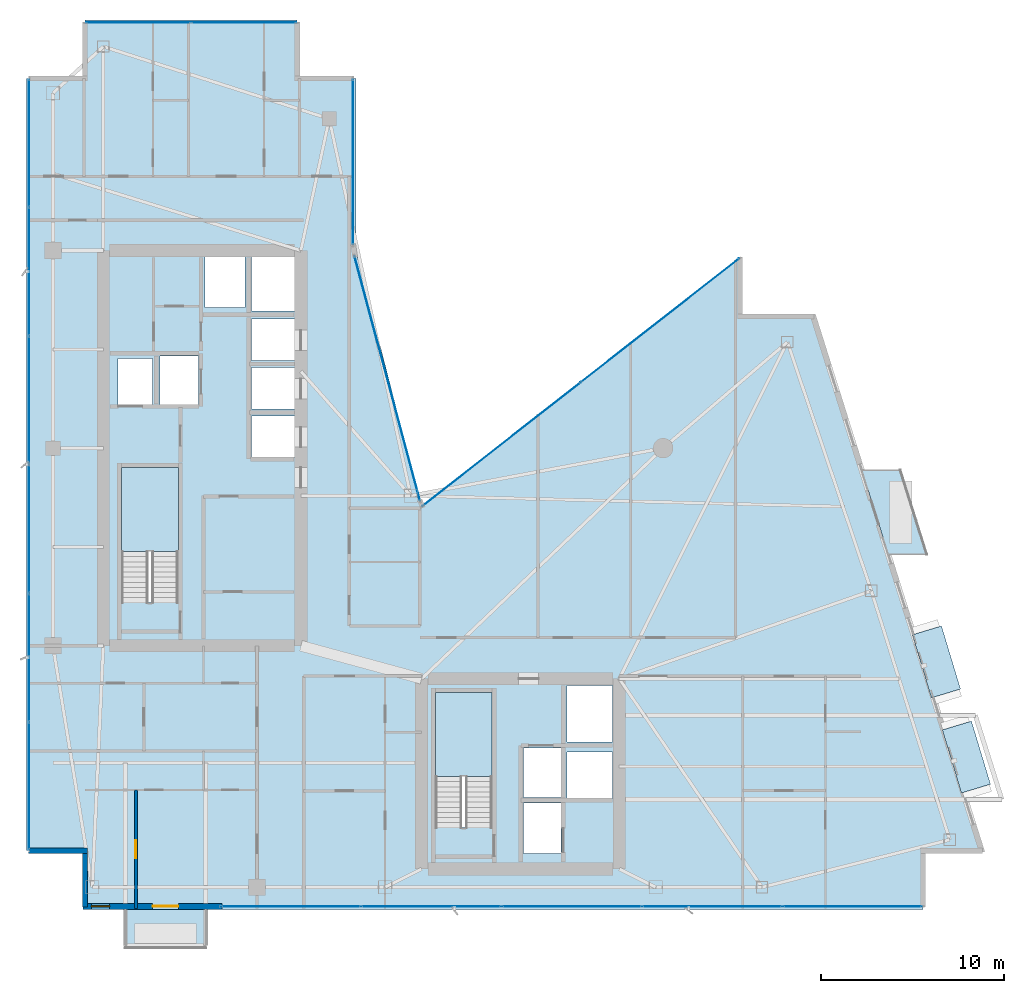
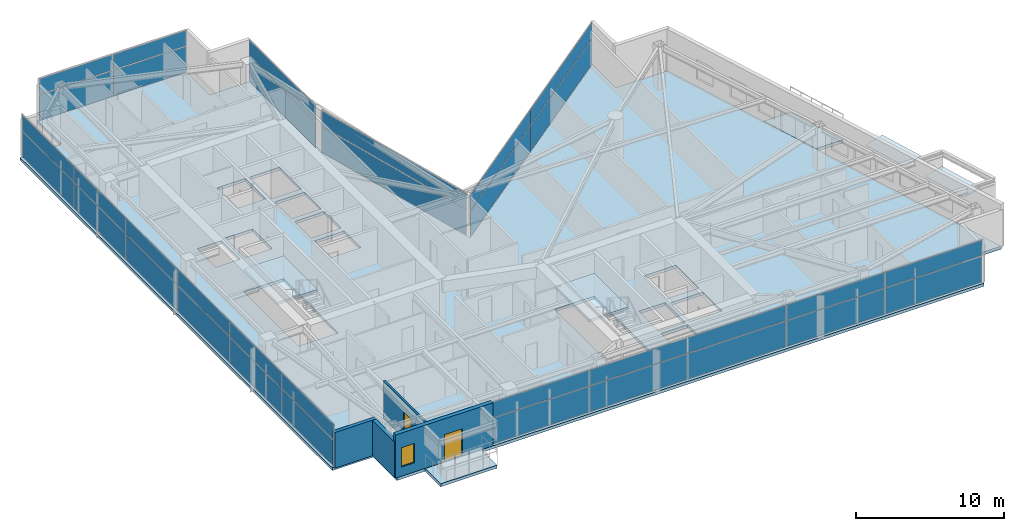
# One storey, part 22 of 29: 36 plates, 5 slabs, 4 walls, 2 doors, 1 window, 3 openings, 8 elements without a shape of their own.
"""IFC4 building model written with IfcOpenShell, lengths in metres."""

import ifcopenshell
import ifcopenshell.guid

model = None  # the IFC model being written
_history = None  # IfcOwnerHistory: only IFC2X3 demands one
_inside = {}  # id of a spatial element -> (the spatial element, [elements in it])
_under = {}  # id of a project, library or spatial element -> (it, [spatial elements below it])
_declared = {}  # id of a project -> (the project, [libraries it declares])
_typed = {}  # id of a type object -> (the type object, [elements of that type])
_made_of = {}  # id of a material, layer set ... -> (it, [elements and type objects made of it])


def new_model(schema):
    """Start an empty IFC model of exactly this schema.

    Asked for "IFC4X3", IfcOpenShell would pick the latest addendum, in which some entities
    have other attributes; the version numbers below select the first issue.
    IFC2X3 requires an IfcOwnerHistory on every rooted entity: one is made here for all.
    """
    global model, _history
    if schema == "IFC4X3":
        model = ifcopenshell.file(schema_version=(4, 3, 0, 0))
    else:
        model = ifcopenshell.file(schema=schema)
    _inside.clear()
    _under.clear()
    _declared.clear()
    _typed.clear()
    _made_of.clear()
    _history = None
    if model.schema == "IFC2X3":
        org = make("IfcOrganization", Name="unknown")
        user = make(
            "IfcPersonAndOrganization",
            ThePerson=make("IfcPerson", FamilyName="unknown"),
            TheOrganization=org,
        )
        app = make(
            "IfcApplication",
            ApplicationDeveloper=org,
            Version="unknown",
            ApplicationFullName="unknown",
            ApplicationIdentifier="unknown",
        )
        _history = make(
            "IfcOwnerHistory",
            OwningUser=user,
            OwningApplication=app,
            ChangeAction="ADDED",
            CreationDate=0,
        )
    return model


def make(cls, **values):
    """One entity of the class cls with the attributes given. An attribute that is None is left unset."""
    return model.create_entity(
        cls, **{name: value for name, value in values.items() if value is not None}
    )


def rooted(cls, **values):
    """An entity with a GlobalId (a new one), such as an element, a storey or a relation."""
    return make(cls, GlobalId=ifcopenshell.guid.new(), OwnerHistory=_history, **values)


def si_unit(unit_type, name, prefix=None):
    """IfcSIUnit, for example si_unit("LENGTHUNIT", "METRE", prefix="MILLI")."""
    return make("IfcSIUnit", UnitType=unit_type, Prefix=prefix, Name=name)


def assignment(units):
    """IfcUnitAssignment: the units of a project."""
    return None if units is None else make("IfcUnitAssignment", Units=units)


def point(xyz):
    """IfcCartesianPoint."""
    return None if xyz is None else make("IfcCartesianPoint", Coordinates=xyz)


def direction(xyz):
    """IfcDirection."""
    return None if xyz is None else make("IfcDirection", DirectionRatios=xyz)


def frame(location, z_axis=None, x_axis=None):
    """IfcAxis2Placement3D, a coordinate frame: its origin and axes. An axis left out is left unset."""
    return make(
        "IfcAxis2Placement3D",
        Location=point(location),
        Axis=direction(z_axis),
        RefDirection=direction(x_axis),
    )


def frame_2d(location, x_axis=None):
    """IfcAxis2Placement2D, a coordinate frame in the plane: its origin and x axis."""
    return make(
        "IfcAxis2Placement2D", Location=point(location), RefDirection=direction(x_axis)
    )


def origin():
    """The frame at (0, 0, 0) with its axes left unset."""
    return frame((0.0, 0.0, 0.0))


def origin_2d():
    """The frame at (0, 0) in the plane with its x axis left unset."""
    return frame_2d((0.0, 0.0))


def place(relative_to, where):
    """IfcLocalPlacement: puts the frame where relative to a parent placement (None: the world)."""
    return make(
        "IfcLocalPlacement", PlacementRelTo=relative_to, RelativePlacement=where
    )


def context(
    kind, dimensions, precision=None, world=None, true_north=None, identifier=None
):
    """IfcGeometricRepresentationContext, for example the 3D "Model" context."""
    return make(
        "IfcGeometricRepresentationContext",
        ContextIdentifier=identifier,
        ContextType=kind,
        CoordinateSpaceDimension=dimensions,
        Precision=precision,
        WorldCoordinateSystem=world,
        TrueNorth=true_north,
    )


def subcontext(parent, identifier, kind, view, scale=None):
    """IfcGeometricRepresentationSubContext, for example "Body" below "Model"."""
    return make(
        "IfcGeometricRepresentationSubContext",
        ContextIdentifier=identifier,
        ContextType=kind,
        ParentContext=parent,
        TargetScale=scale,
        TargetView=view,
    )


def project(units=None, contexts=None):
    """IfcProject with its units and contexts."""
    return rooted(
        "IfcProject",
        Name="project",
        RepresentationContexts=contexts,
        UnitsInContext=assignment(units),
    )


def spatial(cls, under=None, at=None, **own):
    """A site, building, storey or space (cls), placed at a placement, below another one or the project."""
    s = rooted(cls, ObjectPlacement=at, **own)
    if under is not None:
        _under.setdefault(under.id(), (under, []))[1].append(s)
    return s


def polyline(points):
    """IfcPolyline through the points."""
    return make("IfcPolyline", Points=[point(p) for p in points])


def profile(cls, at=None, kind="AREA", **sizes):
    """A parametric profile (cls). Its sizes go by their IFC names, for example OverallWidth=200.0."""
    return make(cls, ProfileType=kind, Position=at, **sizes)


def rectangle(**sizes):
    """IfcRectangleProfileDef."""
    return profile("IfcRectangleProfileDef", **sizes)


def outline(outer, holes=None, kind="AREA"):
    """IfcArbitraryClosedProfileDef: a profile drawn as a closed curve; with holes, ...WithVoids."""
    if holes is None:
        return make("IfcArbitraryClosedProfileDef", ProfileType=kind, OuterCurve=outer)
    return make(
        "IfcArbitraryProfileDefWithVoids",
        ProfileType=kind,
        OuterCurve=outer,
        InnerCurves=holes,
    )


def extrude(swept, where, along, depth):
    """IfcExtrudedAreaSolid: the profile swept, set in the frame where, extruded along a direction by depth."""
    return make(
        "IfcExtrudedAreaSolid",
        SweptArea=swept,
        Position=where,
        ExtrudedDirection=direction(along),
        Depth=depth,
    )


def shape(context_of_items, identifier, shape_type, items):
    """IfcShapeRepresentation: the items that make up one representation, for example the "Body"."""
    return make(
        "IfcShapeRepresentation",
        ContextOfItems=context_of_items,
        RepresentationIdentifier=identifier,
        RepresentationType=shape_type,
        Items=items,
    )


def material(Name=None, Category=None):
    """IfcMaterial."""
    return make("IfcMaterial", Name=Name, Category=Category)


def layer(
    of_material, thickness, ventilated=None, Name=None, Category=None, Priority=None
):
    """IfcMaterialLayer: one layer of a wall or slab, of a material (None: an air gap)."""
    return make(
        "IfcMaterialLayer",
        Material=of_material,
        LayerThickness=thickness,
        IsVentilated=ventilated,
        Name=Name,
        Category=Category,
        Priority=Priority,
    )


def layer_set(layers, Name=None):
    """IfcMaterialLayerSet."""
    return make("IfcMaterialLayerSet", MaterialLayers=layers, LayerSetName=Name)


def made_of(thing, what):
    """Note that an element or type object is made of a material, layer set ...; save() writes the relation."""
    if what is not None:
        _made_of.setdefault(what.id(), (what, []))[1].append(thing)
    return thing


def type_object(cls, material=None, **own):
    """A type object (cls), such as IfcWallType, which elements share."""
    return made_of(rooted(cls, **own), material)


def element(
    cls,
    number,
    at=None,
    inside=None,
    cuts=None,
    type_object=None,
    material=None,
    context=None,
    identifier="Body",
    shape_type=None,
    held_by="IfcProductDefinitionShape",
    body=None,
    shapes=None,
    **own,
):
    """One element of the class cls, such as IfcWall. Its Tag is "e" and its number.

    at: its placement. inside: the storey or other place that contains it. cuts: it is an
    opening in that element (IfcRelVoidsElement). A single representation is given by context,
    identifier, shape_type and body (its items); several are given by shapes. held_by: the class
    of the entity that holds the representations. save() writes the other relations.
    """
    e = rooted(cls, Tag="e%d" % number, ObjectPlacement=at, **own)
    if body is not None:
        shapes = [shape(context, identifier, shape_type, body)]
    if shapes is not None:
        e.Representation = make(held_by, Representations=shapes)
    if inside is not None:
        _inside.setdefault(inside.id(), (inside, []))[1].append(e)
    if cuts is not None:
        rooted(
            "IfcRelVoidsElement", RelatingBuildingElement=cuts, RelatedOpeningElement=e
        )
    if type_object is not None:
        _typed.setdefault(type_object.id(), (type_object, []))[1].append(e)
    return made_of(e, material)


def fill(opening, filler):
    """IfcRelFillsElement: the door or window that sits in an opening."""
    return rooted(
        "IfcRelFillsElement",
        RelatingOpeningElement=opening,
        RelatedBuildingElement=filler,
    )


def aggregate(whole, parts):
    """IfcRelAggregates: a whole, such as a stair, and the parts it consists of."""
    return rooted("IfcRelAggregates", RelatingObject=whole, RelatedObjects=parts)


def save(model, path):
    """Write the relations noted so far, then the file.

    IfcRelAggregates (storeys below a building ...), IfcRelContainedInSpatialStructure (elements
    in a storey), IfcRelDefinesByType, IfcRelAssociatesMaterial and IfcRelDeclares: one each for
    every whole, place, type object, material and project.
    """
    for whole, parts in _under.values():
        aggregate(whole, parts)
    for where, things in _inside.values():
        rooted(
            "IfcRelContainedInSpatialStructure",
            RelatedElements=things,
            RelatingStructure=where,
        )
    for kind, things in _typed.values():
        rooted("IfcRelDefinesByType", RelatedObjects=things, RelatingType=kind)
    for what, things in _made_of.values():
        rooted("IfcRelAssociatesMaterial", RelatedObjects=things, RelatingMaterial=what)
    for by, libraries in _declared.values():
        rooted("IfcRelDeclares", RelatingContext=by, RelatedDefinitions=libraries)
    model.write(path)


model = new_model("IFC4")

# Units and contexts
model_context = context("Model", 3, precision=1e-05, world=origin(), true_north=direction((0.0, 1.0)))
body_context = subcontext(model_context, "Body", "Model", "MODEL_VIEW")
ifc_project = project(units=[si_unit("LENGTHUNIT", "METRE"), si_unit("AREAUNIT", "SQUARE_METRE"), si_unit("VOLUMEUNIT", "CUBIC_METRE"), si_unit("PLANEANGLEUNIT", "RADIAN"), si_unit("MASSUNIT", "GRAM", prefix="KILO")], contexts=[model_context])

# Site, building, storey
site_placement = place(None, origin())
site = spatial("IfcSite", under=ifc_project, at=site_placement, CompositionType="ELEMENT")
building_placement = place(site_placement, origin())
building = spatial("IfcBuilding", under=site, at=building_placement, Name="Calvorn Quay Hotel", CompositionType="ELEMENT")
storey_placement = place(building_placement, frame((0.0, 0.0, 211.0)))
storey = spatial("IfcBuildingStorey", under=building, at=storey_placement, Name="L52", CompositionType="ELEMENT", Elevation=211.0)

# Curtain wall, plates
ifc_material_1 = material(Name="Champagne Bronze Anodised Aluminium and Low-E Glass", Category="aluminium")
ifc_layer_1 = layer(ifc_material_1, 0.219970703125)
ifc_layer_set_1 = layer_set([ifc_layer_1], Name="CW-SYS-Z3")
curtain_wall_type = type_object("IfcCurtainWallType", Name="CW-SYS-Z3", PredefinedType="NOTDEFINED", material=ifc_layer_set_1)
curtain_wall_1_placement = place(storey_placement, origin())
curtain_wall_1 = element("IfcCurtainWall", 1, at=curtain_wall_1_placement, inside=storey, type_object=curtain_wall_type, Name="Tower West Curtain Wall (L52)", PredefinedType="NOTDEFINED")
ifc_material_2 = material(Name="Low-E Laminated Double Glazing", Category="glass")
ifc_layer_2 = layer(ifc_material_2, 0.028076171875)
ifc_layer_set_2 = layer_set([ifc_layer_2], Name="CW-SYS-Z3-PAN")
plate_type_1 = type_object("IfcPlateType", Name="CW-SYS-Z3-PAN", PredefinedType="CURTAIN_PANEL", material=ifc_layer_set_2)
plate_1_placement = place(storey_placement, frame((0.14990234375, 9.131591796875, 0.06005859375), z_axis=(0.0, 0.0, 1.0), x_axis=(0.0, 1.0, 0.0)))
plate_1 = element("IfcPlate", 2, at=plate_1_placement, type_object=plate_type_1, Name="CW-L52-W panel 1.1", PredefinedType="CURTAIN_PANEL", context=body_context, shape_type="SweptSolid", body=[
    extrude(rectangle(XDim=6.943359375, YDim=0.028076171875, at=origin_2d()), origin(), (0.0, 0.0, 1.0), 2.110107421875),
])
plate_2_placement = place(storey_placement, frame((0.14990234375, 9.131591796875, 2.22998046875), z_axis=(0.0, 0.0, 1.0), x_axis=(0.0, 1.0, 0.0)))
plate_2 = element("IfcPlate", 3, at=plate_2_placement, type_object=plate_type_1, Name="CW-L52-W panel 1.2", PredefinedType="CURTAIN_PANEL", context=body_context, shape_type="SweptSolid", body=[
    extrude(rectangle(XDim=6.943359375, YDim=0.028076171875, at=origin_2d()), origin(), (0.0, 0.0, 1.0), 1.27001953125),
])
plate_3_placement = place(storey_placement, frame((0.14990234375, 16.14990234375, 0.06005859375), z_axis=(0.0, 0.0, 1.0), x_axis=(0.0, 1.0, 0.0)))
plate_3 = element("IfcPlate", 4, at=plate_3_placement, type_object=plate_type_1, Name="CW-L52-W panel 2.1", PredefinedType="CURTAIN_PANEL", context=body_context, shape_type="SweptSolid", body=[
    extrude(rectangle(XDim=6.973388671875, YDim=0.028076171875, at=origin_2d()), origin(), (0.0, 0.0, 1.0), 2.110107421875),
])
plate_4_placement = place(storey_placement, frame((0.14990234375, 16.14990234375, 2.22998046875), z_axis=(0.0, 0.0, 1.0), x_axis=(0.0, 1.0, 0.0)))
plate_4 = element("IfcPlate", 5, at=plate_4_placement, type_object=plate_type_1, Name="CW-L52-W panel 2.2", PredefinedType="CURTAIN_PANEL", context=body_context, shape_type="SweptSolid", body=[
    extrude(rectangle(XDim=6.973388671875, YDim=0.028076171875, at=origin_2d()), origin(), (0.0, 0.0, 1.0), 1.27001953125),
])
plate_5_placement = place(storey_placement, frame((0.14990234375, 23.183349609375, 0.06005859375), z_axis=(0.0, 0.0, 1.0), x_axis=(0.0, 1.0, 0.0)))
plate_5 = element("IfcPlate", 6, at=plate_5_placement, type_object=plate_type_1, Name="CW-L52-W panel 3.1", PredefinedType="CURTAIN_PANEL", context=body_context, shape_type="SweptSolid", body=[
    extrude(rectangle(XDim=6.973388671875, YDim=0.028076171875, at=origin_2d()), origin(), (0.0, 0.0, 1.0), 2.110107421875),
])
plate_6_placement = place(storey_placement, frame((0.14990234375, 23.183349609375, 2.22998046875), z_axis=(0.0, 0.0, 1.0), x_axis=(0.0, 1.0, 0.0)))
plate_6 = element("IfcPlate", 7, at=plate_6_placement, type_object=plate_type_1, Name="CW-L52-W panel 3.2", PredefinedType="CURTAIN_PANEL", context=body_context, shape_type="SweptSolid", body=[
    extrude(rectangle(XDim=6.973388671875, YDim=0.028076171875, at=origin_2d()), origin(), (0.0, 0.0, 1.0), 1.27001953125),
])
plate_7_placement = place(storey_placement, frame((0.14990234375, 30.216552734375, 0.06005859375), z_axis=(0.0, 0.0, 1.0), x_axis=(0.0, 1.0, 0.0)))
plate_7 = element("IfcPlate", 8, at=plate_7_placement, type_object=plate_type_1, Name="CW-L52-W panel 4.1", PredefinedType="CURTAIN_PANEL", context=body_context, shape_type="SweptSolid", body=[
    extrude(rectangle(XDim=6.973388671875, YDim=0.028076171875, at=origin_2d()), origin(), (0.0, 0.0, 1.0), 2.110107421875),
])
plate_8_placement = place(storey_placement, frame((0.14990234375, 30.216552734375, 2.22998046875), z_axis=(0.0, 0.0, 1.0), x_axis=(0.0, 1.0, 0.0)))
plate_8 = element("IfcPlate", 9, at=plate_8_placement, type_object=plate_type_1, Name="CW-L52-W panel 4.2", PredefinedType="CURTAIN_PANEL", context=body_context, shape_type="SweptSolid", body=[
    extrude(rectangle(XDim=6.973388671875, YDim=0.028076171875, at=origin_2d()), origin(), (0.0, 0.0, 1.0), 1.27001953125),
])
plate_9_placement = place(storey_placement, frame((0.14990234375, 37.25, 0.06005859375), z_axis=(0.0, 0.0, 1.0), x_axis=(0.0, 1.0, 0.0)))
plate_9 = element("IfcPlate", 10, at=plate_9_placement, type_object=plate_type_1, Name="CW-L52-W panel 5.1", PredefinedType="CURTAIN_PANEL", context=body_context, shape_type="SweptSolid", body=[
    extrude(rectangle(XDim=6.973388671875, YDim=0.028076171875, at=origin_2d()), origin(), (0.0, 0.0, 1.0), 2.110107421875),
])
plate_10_placement = place(storey_placement, frame((0.14990234375, 37.25, 2.22998046875), z_axis=(0.0, 0.0, 1.0), x_axis=(0.0, 1.0, 0.0)))
plate_10 = element("IfcPlate", 11, at=plate_10_placement, type_object=plate_type_1, Name="CW-L52-W panel 5.2", PredefinedType="CURTAIN_PANEL", context=body_context, shape_type="SweptSolid", body=[
    extrude(rectangle(XDim=6.973388671875, YDim=0.028076171875, at=origin_2d()), origin(), (0.0, 0.0, 1.0), 1.27001953125),
])
plate_11_placement = place(storey_placement, frame((0.14990234375, 44.268310546875, 0.06005859375), z_axis=(0.0, 0.0, 1.0), x_axis=(0.0, 1.0, 0.0)))
plate_11 = element("IfcPlate", 12, at=plate_11_placement, type_object=plate_type_1, Name="CW-L52-W panel 6.1", PredefinedType="CURTAIN_PANEL", context=body_context, shape_type="SweptSolid", body=[
    extrude(rectangle(XDim=6.943359375, YDim=0.028076171875, at=origin_2d()), origin(), (0.0, 0.0, 1.0), 2.110107421875),
])
plate_12_placement = place(storey_placement, frame((0.14990234375, 44.268310546875, 2.22998046875), z_axis=(0.0, 0.0, 1.0), x_axis=(0.0, 1.0, 0.0)))
plate_12 = element("IfcPlate", 13, at=plate_12_placement, type_object=plate_type_1, Name="CW-L52-W panel 6.2", PredefinedType="CURTAIN_PANEL", context=body_context, shape_type="SweptSolid", body=[
    extrude(rectangle(XDim=6.943359375, YDim=0.028076171875, at=origin_2d()), origin(), (0.0, 0.0, 1.0), 1.27001953125),
])
aggregate(curtain_wall_1, [plate_1, plate_2, plate_3, plate_4, plate_5, plate_6, plate_7, plate_8, plate_9, plate_10, plate_11, plate_12])

curtain_wall_2_placement = place(storey_placement, origin())
curtain_wall_2 = element("IfcCurtainWall", 14, at=curtain_wall_2_placement, inside=storey, type_object=curtain_wall_type, Name="Tower South Waterfront Curtain Wall (L52)", PredefinedType="NOTDEFINED")
plate_13_placement = place(storey_placement, frame((14.455078125, 2.550048828125, 0.06005859375), z_axis=(0.0, 0.0, 1.0), x_axis=(1.0, 0.0, 0.0)))
plate_13 = element("IfcPlate", 15, at=plate_13_placement, type_object=plate_type_1, Name="CW-L52-S panel 1.1", PredefinedType="CURTAIN_PANEL", context=body_context, shape_type="SweptSolid", body=[
    extrude(rectangle(XDim=7.590087890625, YDim=0.028076171875, at=origin_2d()), origin(), (0.0, 0.0, 1.0), 2.110107421875),
])
plate_14_placement = place(storey_placement, frame((14.455078125, 2.550048828125, 2.22998046875), z_axis=(0.0, 0.0, 1.0), x_axis=(1.0, 0.0, 0.0)))
plate_14 = element("IfcPlate", 16, at=plate_14_placement, type_object=plate_type_1, Name="CW-L52-S panel 1.2", PredefinedType="CURTAIN_PANEL", context=body_context, shape_type="SweptSolid", body=[
    extrude(rectangle(XDim=7.590087890625, YDim=0.028076171875, at=origin_2d()), origin(), (0.0, 0.0, 1.0), 1.27001953125),
])
plate_15_placement = place(storey_placement, frame((22.1201171875, 2.550048828125, 0.06005859375), z_axis=(0.0, 0.0, 1.0), x_axis=(1.0, 0.0, 0.0)))
plate_15 = element("IfcPlate", 17, at=plate_15_placement, type_object=plate_type_1, Name="CW-L52-S panel 2.1", PredefinedType="CURTAIN_PANEL", context=body_context, shape_type="SweptSolid", body=[
    extrude(rectangle(XDim=7.6201171875, YDim=0.028076171875, at=origin_2d()), origin(), (0.0, 0.0, 1.0), 2.110107421875),
])
plate_16_placement = place(storey_placement, frame((22.1201171875, 2.550048828125, 2.22998046875), z_axis=(0.0, 0.0, 1.0), x_axis=(1.0, 0.0, 0.0)))
plate_16 = element("IfcPlate", 18, at=plate_16_placement, type_object=plate_type_1, Name="CW-L52-S panel 2.2", PredefinedType="CURTAIN_PANEL", context=body_context, shape_type="SweptSolid", body=[
    extrude(rectangle(XDim=7.6201171875, YDim=0.028076171875, at=origin_2d()), origin(), (0.0, 0.0, 1.0), 1.27001953125),
])
plate_17_placement = place(storey_placement, frame((29.800048828125, 2.550048828125, 0.06005859375), z_axis=(0.0, 0.0, 1.0), x_axis=(1.0, 0.0, 0.0)))
plate_17 = element("IfcPlate", 19, at=plate_17_placement, type_object=plate_type_1, Name="CW-L52-S panel 3.1", PredefinedType="CURTAIN_PANEL", context=body_context, shape_type="SweptSolid", body=[
    extrude(rectangle(XDim=7.6201171875, YDim=0.028076171875, at=origin_2d()), origin(), (0.0, 0.0, 1.0), 2.110107421875),
])
plate_18_placement = place(storey_placement, frame((29.800048828125, 2.550048828125, 2.22998046875), z_axis=(0.0, 0.0, 1.0), x_axis=(1.0, 0.0, 0.0)))
plate_18 = element("IfcPlate", 20, at=plate_18_placement, type_object=plate_type_1, Name="CW-L52-S panel 3.2", PredefinedType="CURTAIN_PANEL", context=body_context, shape_type="SweptSolid", body=[
    extrude(rectangle(XDim=7.6201171875, YDim=0.028076171875, at=origin_2d()), origin(), (0.0, 0.0, 1.0), 1.27001953125),
])
plate_19_placement = place(storey_placement, frame((37.47998046875, 2.550048828125, 0.06005859375), z_axis=(0.0, 0.0, 1.0), x_axis=(1.0, 0.0, 0.0)))
plate_19 = element("IfcPlate", 21, at=plate_19_placement, type_object=plate_type_1, Name="CW-L52-S panel 4.1", PredefinedType="CURTAIN_PANEL", context=body_context, shape_type="SweptSolid", body=[
    extrude(rectangle(XDim=7.6201171875, YDim=0.028076171875, at=origin_2d()), origin(), (0.0, 0.0, 1.0), 2.110107421875),
])
plate_20_placement = place(storey_placement, frame((37.47998046875, 2.550048828125, 2.22998046875), z_axis=(0.0, 0.0, 1.0), x_axis=(1.0, 0.0, 0.0)))
plate_20 = element("IfcPlate", 22, at=plate_20_placement, type_object=plate_type_1, Name="CW-L52-S panel 4.2", PredefinedType="CURTAIN_PANEL", context=body_context, shape_type="SweptSolid", body=[
    extrude(rectangle(XDim=7.6201171875, YDim=0.028076171875, at=origin_2d()), origin(), (0.0, 0.0, 1.0), 1.27001953125),
])
plate_21_placement = place(storey_placement, frame((45.14501953125, 2.550048828125, 0.06005859375), z_axis=(0.0, 0.0, 1.0), x_axis=(1.0, 0.0, 0.0)))
plate_21 = element("IfcPlate", 23, at=plate_21_placement, type_object=plate_type_1, Name="CW-L52-S panel 5.1", PredefinedType="CURTAIN_PANEL", context=body_context, shape_type="SweptSolid", body=[
    extrude(rectangle(XDim=7.590087890625, YDim=0.028076171875, at=origin_2d()), origin(), (0.0, 0.0, 1.0), 2.110107421875),
])
plate_22_placement = place(storey_placement, frame((45.14501953125, 2.550048828125, 2.22998046875), z_axis=(0.0, 0.0, 1.0), x_axis=(1.0, 0.0, 0.0)))
plate_22 = element("IfcPlate", 24, at=plate_22_placement, type_object=plate_type_1, Name="CW-L52-S panel 5.2", PredefinedType="CURTAIN_PANEL", context=body_context, shape_type="SweptSolid", body=[
    extrude(rectangle(XDim=7.590087890625, YDim=0.028076171875, at=origin_2d()), origin(), (0.0, 0.0, 1.0), 1.27001953125),
])
aggregate(curtain_wall_2, [plate_13, plate_14, plate_15, plate_16, plate_17, plate_18, plate_19, plate_20, plate_21, plate_22])

curtain_wall_3_placement = place(storey_placement, origin())
curtain_wall_3 = element("IfcCurtainWall", 25, at=curtain_wall_3_placement, inside=storey, type_object=curtain_wall_type, Name="Inner Court Curtain Wall L52-NE1", PredefinedType="NOTDEFINED")
plate_23_placement = place(storey_placement, frame((34.63818359375, 34.5908203125, 0.06005859375), z_axis=(0.0, 0.0, 1.0), x_axis=(-0.787887056174, -0.615819768044, 0.0)))
plate_23 = element("IfcPlate", 26, at=plate_23_placement, type_object=plate_type_1, Name="CW-L52-NE1 panel 1.1", PredefinedType="CURTAIN_PANEL", context=body_context, shape_type="SweptSolid", body=[
    extrude(rectangle(XDim=10.9521484375, YDim=0.028076171875, at=origin_2d()), origin(), (0.0, 0.0, 1.0), 2.110107421875),
])
plate_24_placement = place(storey_placement, frame((34.63818359375, 34.5908203125, 2.22998046875), z_axis=(0.0, 0.0, 1.0), x_axis=(-0.787887056174, -0.615819768044, 0.0)))
plate_24 = element("IfcPlate", 27, at=plate_24_placement, type_object=plate_type_1, Name="CW-L52-NE1 panel 1.2", PredefinedType="CURTAIN_PANEL", context=body_context, shape_type="SweptSolid", body=[
    extrude(rectangle(XDim=10.9521484375, YDim=0.028076171875, at=origin_2d()), origin(), (0.0, 0.0, 1.0), 1.27001953125),
])
plate_25_placement = place(storey_placement, frame((25.9619140625, 27.809326171875, 0.06005859375), z_axis=(0.0, 0.0, 1.0), x_axis=(-0.787887056174, -0.615819768044, 0.0)))
plate_25 = element("IfcPlate", 28, at=plate_25_placement, type_object=plate_type_1, Name="CW-L52-NE1 panel 2.1", PredefinedType="CURTAIN_PANEL", context=body_context, shape_type="SweptSolid", body=[
    extrude(rectangle(XDim=10.9521484375, YDim=0.028076171875, at=origin_2d()), origin(), (0.0, 0.0, 1.0), 2.110107421875),
])
plate_26_placement = place(storey_placement, frame((25.9619140625, 27.809326171875, 2.22998046875), z_axis=(0.0, 0.0, 1.0), x_axis=(-0.787887056174, -0.615819768044, 0.0)))
plate_26 = element("IfcPlate", 29, at=plate_26_placement, type_object=plate_type_1, Name="CW-L52-NE1 panel 2.2", PredefinedType="CURTAIN_PANEL", context=body_context, shape_type="SweptSolid", body=[
    extrude(rectangle(XDim=10.9521484375, YDim=0.028076171875, at=origin_2d()), origin(), (0.0, 0.0, 1.0), 1.27001953125),
])
aggregate(curtain_wall_3, [plate_23, plate_24, plate_25, plate_26])

curtain_wall_4_placement = place(storey_placement, origin())
curtain_wall_4 = element("IfcCurtainWall", 30, at=curtain_wall_4_placement, inside=storey, type_object=curtain_wall_type, Name="Inner Court Curtain Wall L52-IC1", PredefinedType="NOTDEFINED")
plate_27_placement = place(storey_placement, frame((19.72509765625, 31.39990234375, 0.06005859375), z_axis=(0.0, 0.0, 1.0), x_axis=(-0.25877913024, 0.96593652056, 0.0)))
plate_27 = element("IfcPlate", 31, at=plate_27_placement, type_object=plate_type_1, Name="CW-L52-IC1 panel 1.1", PredefinedType="CURTAIN_PANEL", context=body_context, shape_type="SweptSolid", body=[
    extrude(rectangle(XDim=13.814697265625, YDim=0.028076171875, at=origin_2d()), origin(), (0.0, 0.0, 1.0), 2.110107421875),
])
plate_28_placement = place(storey_placement, frame((19.72509765625, 31.39990234375, 2.22998046875), z_axis=(0.0, 0.0, 1.0), x_axis=(-0.25877913024, 0.96593652056, 0.0)))
plate_28 = element("IfcPlate", 32, at=plate_28_placement, type_object=plate_type_1, Name="CW-L52-IC1 panel 1.2", PredefinedType="CURTAIN_PANEL", context=body_context, shape_type="SweptSolid", body=[
    extrude(rectangle(XDim=13.814697265625, YDim=0.028076171875, at=origin_2d()), origin(), (0.0, 0.0, 1.0), 1.27001953125),
])
aggregate(curtain_wall_4, [plate_27, plate_28])

curtain_wall_5_placement = place(storey_placement, origin())
curtain_wall_5 = element("IfcCurtainWall", 33, at=curtain_wall_5_placement, inside=storey, type_object=curtain_wall_type, Name="Inner Court Curtain Wall L52-IC2", PredefinedType="NOTDEFINED")
plate_29_placement = place(storey_placement, frame((17.85009765625, 43.239990234375, 0.06005859375), z_axis=(0.0, 0.0, 1.0), x_axis=(0.0, 1.0, 0.0)))
plate_29 = element("IfcPlate", 34, at=plate_29_placement, type_object=plate_type_1, Name="CW-L52-IC2 panel 1.1", PredefinedType="CURTAIN_PANEL", context=body_context, shape_type="SweptSolid", body=[
    extrude(rectangle(XDim=9.0, YDim=0.028076171875, at=origin_2d()), origin(), (0.0, 0.0, 1.0), 2.110107421875),
])
plate_30_placement = place(storey_placement, frame((17.85009765625, 43.239990234375, 2.22998046875), z_axis=(0.0, 0.0, 1.0), x_axis=(0.0, 1.0, 0.0)))
plate_30 = element("IfcPlate", 35, at=plate_30_placement, type_object=plate_type_1, Name="CW-L52-IC2 panel 1.2", PredefinedType="CURTAIN_PANEL", context=body_context, shape_type="SweptSolid", body=[
    extrude(rectangle(XDim=9.0, YDim=0.028076171875, at=origin_2d()), origin(), (0.0, 0.0, 1.0), 1.27001953125),
])
aggregate(curtain_wall_5, [plate_29, plate_30])

curtain_wall_6_placement = place(storey_placement, origin())
curtain_wall_6 = element("IfcCurtainWall", 36, at=curtain_wall_6_placement, inside=storey, type_object=curtain_wall_type, Name="Inner Court Curtain Wall L52-N1", PredefinedType="NOTDEFINED")
plate_31_placement = place(storey_placement, frame((11.885009765625, 50.85009765625, 0.06005859375), z_axis=(0.0, 0.0, 1.0), x_axis=(-1.0, 0.0, 0.0)))
plate_31 = element("IfcPlate", 37, at=plate_31_placement, type_object=plate_type_1, Name="CW-L52-N1 panel 1.1", PredefinedType="CURTAIN_PANEL", context=body_context, shape_type="SweptSolid", body=[
    extrude(rectangle(XDim=5.7099609375, YDim=0.028076171875, at=origin_2d()), origin(), (0.0, 0.0, 1.0), 2.110107421875),
])
plate_32_placement = place(storey_placement, frame((11.885009765625, 50.85009765625, 2.22998046875), z_axis=(0.0, 0.0, 1.0), x_axis=(-1.0, 0.0, 0.0)))
plate_32 = element("IfcPlate", 38, at=plate_32_placement, type_object=plate_type_1, Name="CW-L52-N1 panel 1.2", PredefinedType="CURTAIN_PANEL", context=body_context, shape_type="SweptSolid", body=[
    extrude(rectangle(XDim=5.7099609375, YDim=0.028076171875, at=origin_2d()), origin(), (0.0, 0.0, 1.0), 1.27001953125),
])
plate_33_placement = place(storey_placement, frame((6.114990234375, 50.85009765625, 0.06005859375), z_axis=(0.0, 0.0, 1.0), x_axis=(-1.0, 0.0, 0.0)))
plate_33 = element("IfcPlate", 39, at=plate_33_placement, type_object=plate_type_1, Name="CW-L52-N1 panel 2.1", PredefinedType="CURTAIN_PANEL", context=body_context, shape_type="SweptSolid", body=[
    extrude(rectangle(XDim=5.7099609375, YDim=0.028076171875, at=origin_2d()), origin(), (0.0, 0.0, 1.0), 2.110107421875),
])
plate_34_placement = place(storey_placement, frame((6.114990234375, 50.85009765625, 2.22998046875), z_axis=(0.0, 0.0, 1.0), x_axis=(-1.0, 0.0, 0.0)))
plate_34 = element("IfcPlate", 40, at=plate_34_placement, type_object=plate_type_1, Name="CW-L52-N1 panel 2.2", PredefinedType="CURTAIN_PANEL", context=body_context, shape_type="SweptSolid", body=[
    extrude(rectangle(XDim=5.7099609375, YDim=0.028076171875, at=origin_2d()), origin(), (0.0, 0.0, 1.0), 1.27001953125),
])
aggregate(curtain_wall_6, [plate_31, plate_32, plate_33, plate_34])

# Plates
ifc_material_3 = material(Name="Tempered Laminated Low-E Glass", Category="glass")
ifc_layer_3 = layer(ifc_material_3, 0.0380859375)
ifc_layer_set_3 = layer_set([ifc_layer_3], Name="PLT-HOOD-GLAZ")
plate_type_2 = type_object("IfcPlateType", Name="PLT-HOOD-GLAZ", PredefinedType="SHEET", material=ifc_layer_set_3)
for number, where, z_axis, x_axis, name in (
    (41, (51.3740234375, 10.718017578125, 2.467041015625), (0.0, 0.0, 1.0), (0.957319497532, 0.289031796944, 0.0), "Angled Glass Bay Hood Panel L52-HOOD-1"),
    (42, (49.735107421875, 15.91796875, 2.467041015625), (0.0, 0.0, 1.0), (0.957319497532, 0.289031796944, 0.0), "Angled Glass Bay Hood Panel L52-HOOD-2"),
):
    element("IfcPlate", number, at=place(storey_placement, frame(where, z_axis=z_axis, x_axis=x_axis)), inside=storey, type_object=plate_type_2, Name=name, PredefinedType="SHEET", context=body_context, shape_type="SweptSolid", body=[
        extrude(rectangle(XDim=1.659912109375, YDim=3.60009765625, at=origin_2d()), origin(), (0.0, 0.0, 1.0), 0.0380859375),
    ])

# Slabs
ifc_material_4 = material(Name="Concrete C40", Category="concrete")
ifc_layer_4 = layer(ifc_material_4, 0.239990234375)
ifc_layer_set_4 = layer_set([ifc_layer_4], Name="SLB-BALCONY-220")
slab_type_1 = type_object("IfcSlabType", Name="SLB-BALCONY-220", PredefinedType="FLOOR", material=ifc_layer_set_4)
slab_1_placement = place(storey_placement, frame((0.0, 0.0, -0.239990234375)))
element("IfcSlab", 43, at=slab_1_placement, inside=storey, type_object=slab_type_1, Name="Tree Balcony Slab L52-BALC-E", PredefinedType="FLOOR", context=body_context, shape_type="SweptSolid", body=[
    extrude(outline(polyline([(47.10595703125, 21.800048828125), (49.2060546875, 21.800048828125), (47.757080078125, 26.39990234375), (45.656982421875, 26.39990234375), (47.10595703125, 21.800048828125)])), origin(), (0.0, 0.0, 1.0), 0.239990234375),
])
slab_2_placement = place(storey_placement, frame((0.0, 0.0, -0.239990234375)))
element("IfcSlab", 44, at=slab_2_placement, inside=storey, type_object=slab_type_1, Name="Tree Balcony Slab L52-BALC-S", PredefinedType="FLOOR", context=body_context, shape_type="SweptSolid", body=[
    extrude(outline(polyline([(5.39990234375, 0.2900390625), (9.800048828125, 0.2900390625), (9.800048828125, 2.389892578125), (5.39990234375, 2.389892578125), (5.39990234375, 0.2900390625)])), origin(), (0.0, 0.0, 1.0), 0.239990234375),
])

# Stair, slab
ifc_material_5 = material(Name="Concrete C40", Category="concrete")
stair_type = type_object("IfcStairType", Name="STR-CORE-DOGLEG", PredefinedType="HALF_TURN_STAIR", material=ifc_material_5)
stair_1_placement = place(storey_placement, origin())
stair_1 = element("IfcStair", 45, at=stair_1_placement, inside=storey, type_object=stair_type, Name="L52 ST-W", PredefinedType="HALF_TURN_STAIR")
ifc_material_6 = material(Name="Concrete C40", Category="concrete")
ifc_layer_5 = layer(ifc_material_6, 0.199951171875)
ifc_layer_set_5 = layer_set([ifc_layer_5], Name="SLB-STAIR-LANDING-200")
slab_type_2 = type_object("IfcSlabType", Name="SLB-STAIR-LANDING-200", PredefinedType="LANDING", material=ifc_layer_set_5)
slab_3_placement = place(storey_placement, frame((0.0, 0.0, 1.699951171875)))
slab_3 = element("IfcSlab", 46, at=slab_3_placement, type_object=slab_type_2, Name="ST-W landing 1", PredefinedType="LANDING", context=body_context, shape_type="SweptSolid", body=[
    extrude(outline(polyline([(8.300048828125, 21.949951171875), (8.300048828125, 26.550048828125), (5.199951171875, 26.550048828125), (5.199951171875, 21.949951171875), (8.300048828125, 21.949951171875)])), origin(), (0.0, 0.0, 1.0), 0.199951171875),
])
aggregate(stair_1, [slab_3])

stair_2_placement = place(storey_placement, origin())
stair_2 = element("IfcStair", 47, at=stair_2_placement, inside=storey, type_object=stair_type, Name="L52 ST-E", PredefinedType="HALF_TURN_STAIR")
slab_4_placement = place(storey_placement, frame((0.0, 0.0, 1.699951171875)))
slab_4 = element("IfcSlab", 48, at=slab_4_placement, type_object=slab_type_2, Name="ST-E landing 1", PredefinedType="LANDING", context=body_context, shape_type="SweptSolid", body=[
    extrude(outline(polyline([(25.449951171875, 9.64990234375), (25.449951171875, 14.25), (22.35009765625, 14.25), (22.35009765625, 9.64990234375), (25.449951171875, 9.64990234375)])), origin(), (0.0, 0.0, 1.0), 0.199951171875),
])
aggregate(stair_2, [slab_4])

# Slab
ifc_material_7 = material(Name="Concrete C40", Category="concrete")
ifc_layer_6 = layer(ifc_material_7, 0.239990234375)
ifc_layer_set_6 = layer_set([ifc_layer_6], Name="SLB-TOWER-240")
slab_type_3 = type_object("IfcSlabType", Name="SLB-TOWER-240", PredefinedType="FLOOR", material=ifc_layer_set_6)
slab_5_placement = place(storey_placement, frame((0.0, 0.0, -0.239990234375)))
element("IfcSlab", 49, at=slab_5_placement, inside=storey, type_object=slab_type_3, Name="L52 Structural Floor Slab", PredefinedType="FLOOR", context=body_context, shape_type="SweptSolid", body=[
    extrude(outline(polyline([(0.0, 5.60009765625), (3.199951171875, 5.60009765625), (3.199951171875, 2.39990234375), (49.0, 2.39990234375), (49.0, 5.60009765625), (52.199951171875, 5.60009765625), (43.0, 34.800048828125), (39.0, 34.800048828125), (39.0, 38.0), (21.60009765625, 24.39990234375), (18.0, 38.39990234375), (18.0, 47.800048828125), (14.800048828125, 47.800048828125), (14.800048828125, 51.0), (3.199951171875, 51.0), (3.199951171875, 47.800048828125), (0.0, 47.800048828125), (0.0, 5.60009765625)]), holes=[polyline([(5.199951171875, 19.156005859375), (8.300048828125, 19.156005859375), (8.300048828125, 26.550048828125), (5.199951171875, 26.550048828125), (5.199951171875, 19.156005859375)]), polyline([(22.35009765625, 6.85595703125), (25.449951171875, 6.85595703125), (25.449951171875, 14.25), (22.35009765625, 14.25), (22.35009765625, 6.85595703125)]), polyline([(5.0, 30.0), (6.89990234375, 30.0), (6.89990234375, 32.5), (5.0, 32.5), (5.0, 30.0)]), polyline([(7.300048828125, 30.0), (9.39990234375, 30.0), (9.39990234375, 32.64990234375), (7.300048828125, 32.64990234375), (7.300048828125, 30.0)]), polyline([(27.159912109375, 8.5), (29.2099609375, 8.5), (29.2099609375, 11.199951171875), (27.159912109375, 11.199951171875), (27.159912109375, 8.5)]), polyline([(27.159912109375, 5.449951171875), (29.2099609375, 5.449951171875), (29.2099609375, 8.199951171875), (27.159912109375, 8.199951171875), (27.159912109375, 5.449951171875)]), polyline([(12.300048828125, 27.10009765625), (14.639892578125, 27.10009765625), (14.639892578125, 29.35009765625), (12.300048828125, 29.35009765625), (12.300048828125, 27.10009765625)]), polyline([(12.300048828125, 29.75), (14.639892578125, 29.75), (14.639892578125, 32.0), (12.300048828125, 32.0), (12.300048828125, 29.75)]), polyline([(12.300048828125, 32.39990234375), (14.639892578125, 32.39990234375), (14.639892578125, 34.64990234375), (12.300048828125, 34.64990234375), (12.300048828125, 32.39990234375)]), polyline([(12.300048828125, 35.10009765625), (14.639892578125, 35.10009765625), (14.639892578125, 38.0400390625), (12.300048828125, 38.0400390625), (12.300048828125, 35.10009765625)]), polyline([(9.75, 35.300048828125), (11.949951171875, 35.300048828125), (11.949951171875, 38.0400390625), (9.75, 38.0400390625), (9.75, 35.300048828125)]), polyline([(29.550048828125, 11.550048828125), (32.0400390625, 11.550048828125), (32.0400390625, 14.639892578125), (29.550048828125, 14.639892578125), (29.550048828125, 11.550048828125)]), polyline([(29.550048828125, 8.449951171875), (32.0400390625, 8.449951171875), (32.0400390625, 11.0), (29.550048828125, 11.0), (29.550048828125, 8.449951171875)])]), origin(), (0.0, 0.0, 1.0), 0.239990234375),
])

# Wall, openings, door, window
ifc_material_8 = material(Name="Concrete C40", Category="concrete")
ifc_layer_7 = layer(ifc_material_8, 0.320068359375)
ifc_layer_set_7 = layer_set([ifc_layer_7], Name="WL-EXT-SPANDREL-320")
wall_type_1 = type_object("IfcWallType", Name="WL-EXT-SPANDREL-320", PredefinedType="SOLIDWALL", material=ifc_layer_set_7)
wall_1_placement = place(storey_placement, frame((3.10009765625, 2.56005859375, 0.0), z_axis=(0.0, 0.0, 1.0), x_axis=(1.0, 0.0, 0.0)))
wall_1 = element("IfcWall", 50, at=wall_1_placement, inside=storey, type_object=wall_type_1, Name="South Balcony Exterior Wall (L52)", PredefinedType="SOLIDWALL", context=body_context, shape_type="SweptSolid", body=[
    extrude(rectangle(XDim=7.599853515625, YDim=0.320068359375, at=frame_2d((3.7998046875, 0.0))), origin(), (0.0, 0.0, 1.0), 3.56005859375),
])
opening_1_placement = place(wall_1_placement, frame((0.449951171875, 0.0, 0.75)))
opening_1 = element("IfcOpeningElement", 51, at=opening_1_placement, cuts=wall_1, Name="Opening WSB-L52-1", PredefinedType="OPENING", context=body_context, shape_type="SweptSolid", body=[
    extrude(rectangle(XDim=1.0, YDim=1.60009765625, at=frame_2d((0.5, 0.800048828125))), frame((0.0, 0.169921875, 0.0), z_axis=(0.0, -1.0, 0.0), x_axis=(1.0, 0.0, 0.0)), (0.0, 0.0, 1.0), 0.340087890625),
])
opening_2_placement = place(wall_1_placement, frame((3.800048828125, 0.0, 0.0)))
opening_2 = element("IfcOpeningElement", 52, at=opening_2_placement, cuts=wall_1, Name="Opening DB-L52-2", PredefinedType="OPENING", context=body_context, shape_type="SweptSolid", body=[
    extrude(rectangle(XDim=1.39990234375, YDim=2.25, at=frame_2d((0.699951171875, 1.125))), frame((0.0, 0.169921875, 0.0), z_axis=(0.0, -1.0, 0.0), x_axis=(1.0, 0.0, 0.0)), (0.0, 0.0, 1.0), 0.340087890625),
])
ifc_material_9 = material(Name="Typhoon-Rated Low-E Aluminium Terrace Door", Category="aluminium")
door_type_1 = type_object("IfcDoorType", Name="DR-BALCONY-GLZ-1400", OperationType="NOTDEFINED", PredefinedType="DOOR", material=ifc_material_9)
door_1_placement = place(opening_2_placement, origin())
door_1 = element("IfcDoor", 53, at=door_1_placement, inside=storey, type_object=door_type_1, Name="Tree Balcony Terrace Door L52-BALC-S", OperationType="SINGLE_SWING_LEFT", OverallHeight=2.25, OverallWidth=1.39990234375, PredefinedType="DOOR", context=body_context, shape_type="SweptSolid", body=[
    extrude(rectangle(XDim=1.39990234375, YDim=2.25, at=frame_2d((0.699951171875, 1.125))), frame((0.0, 0.02490234375, 0.0), z_axis=(0.0, -1.0, 0.0), x_axis=(1.0, 0.0, 0.0)), (0.0, 0.0, 1.0), 0.050048828125),
])
fill(opening_2, door_1)
ifc_material_10 = material(Name="Self-Closing Class B Side Fire Window")
window_type = type_object("IfcWindowType", Name="WIN-REFUGE-NARROW-1000x1600", PartitioningType="SINGLE_PANEL", PredefinedType="WINDOW", material=ifc_material_10)
window_placement = place(opening_1_placement, origin())
window = element("IfcWindow", 54, at=window_placement, inside=storey, type_object=window_type, Name="South Waterfront Side Window (L52)", OverallHeight=1.60009765625, OverallWidth=1.0, PartitioningType="SINGLE_PANEL", PredefinedType="WINDOW", context=body_context, shape_type="SweptSolid", body=[
    extrude(rectangle(XDim=1.0, YDim=1.60009765625, at=frame_2d((0.5, 0.800048828125))), frame((0.0, 0.030029296875, 0.0), z_axis=(0.0, -1.0, 0.0), x_axis=(1.0, 0.0, 0.0)), (0.0, 0.0, 1.0), 0.06005859375),
])
fill(opening_1, window)

# Walls
wall_2_placement = place(storey_placement, frame((0.1201171875, 5.60009765625, 0.0), z_axis=(0.0, 0.0, 1.0), x_axis=(1.0, 0.0, 0.0)))
element("IfcWall", 55, at=wall_2_placement, inside=storey, type_object=wall_type_1, Name="Notched Corner Spandrel L52-SW1", PredefinedType="SOLIDWALL", context=body_context, shape_type="SweptSolid", body=[
    extrude(rectangle(XDim=3.219970703125, YDim=0.280029296875, at=frame_2d((1.60986328125, 0.0))), origin(), (0.0, 0.0, 1.0), 2.93994140625),
])
wall_3_placement = place(storey_placement, frame((3.199951171875, 5.4599609375, 0.0), z_axis=(0.0, 0.0, 1.0), x_axis=(0.0, -1.0, 0.0)))
element("IfcWall", 56, at=wall_3_placement, inside=storey, type_object=wall_type_1, Name="Notched Corner Spandrel L52-SW2", PredefinedType="SOLIDWALL", context=body_context, shape_type="SweptSolid", body=[
    extrude(rectangle(XDim=2.93994140625, YDim=0.280029296875, at=frame_2d((1.469970703125, 0.0))), origin(), (0.0, 0.0, 1.0), 2.93994140625),
])

# Wall, opening, door
ifc_material_11 = material(Name="Double-Stud Acoustic Gypsum Partition")
ifc_layer_8 = layer(ifc_material_11, 0.159912109375)
ifc_layer_set_8 = layer_set([ifc_layer_8], Name="WL-INTERSUITE-160")
wall_type_2 = type_object("IfcWallType", Name="WL-INTERSUITE-160", PredefinedType="PARTITIONING", material=ifc_layer_set_8)
wall_4_placement = place(storey_placement, frame((5.97998046875, 2.43994140625, 0.0), z_axis=(0.0, 0.0, 1.0), x_axis=(0.0, 1.0, 0.0)))
wall_4 = element("IfcWall", 57, at=wall_4_placement, inside=storey, type_object=wall_type_2, Name="Partition Wall L52-WL-U01-MSP", PredefinedType="PARTITIONING", context=body_context, shape_type="SweptSolid", body=[
    extrude(rectangle(XDim=6.47998046875, YDim=0.159912109375, at=frame_2d((3.239990234375, 0.0))), origin(), (0.0, 0.0, 1.0), 3.090087890625),
])
opening_3_placement = place(wall_4_placement, frame((2.760009765625, 0.0, 0.0)))
opening_3 = element("IfcOpeningElement", 58, at=opening_3_placement, cuts=wall_4, Name="Opening D-L52-M01", PredefinedType="OPENING", context=body_context, shape_type="SweptSolid", body=[
    extrude(rectangle(XDim=0.9599609375, YDim=2.199951171875, at=frame_2d((0.47998046875, 1.10009765625))), frame((0.0, 0.08984375, 0.0), z_axis=(0.0, -1.0, 0.0), x_axis=(1.0, 0.0, 0.0)), (0.0, 0.0, 1.0), 0.179931640625),
])
ifc_material_12 = material(Name="Solid Timber Internal Suite Door", Category="wood")
door_type_2 = type_object("IfcDoorType", Name="DR-SUITE-INT-960", OperationType="NOTDEFINED", PredefinedType="DOOR", material=ifc_material_12)
door_2_placement = place(opening_3_placement, origin())
door_2 = element("IfcDoor", 59, at=door_2_placement, inside=storey, type_object=door_type_2, Name="Suite Bedroom Door 01", OperationType="SINGLE_SWING_LEFT", OverallHeight=2.199951171875, OverallWidth=0.9599609375, PredefinedType="DOOR", context=body_context, shape_type="SweptSolid", body=[
    extrude(rectangle(XDim=0.9599609375, YDim=2.199951171875, at=frame_2d((0.47998046875, 1.10009765625))), frame((0.0, 0.02490234375, 0.0), z_axis=(0.0, -1.0, 0.0), x_axis=(1.0, 0.0, 0.0)), (0.0, 0.0, 1.0), 0.050048828125),
])
fill(opening_3, door_2)

save(model, "model.ifc")
